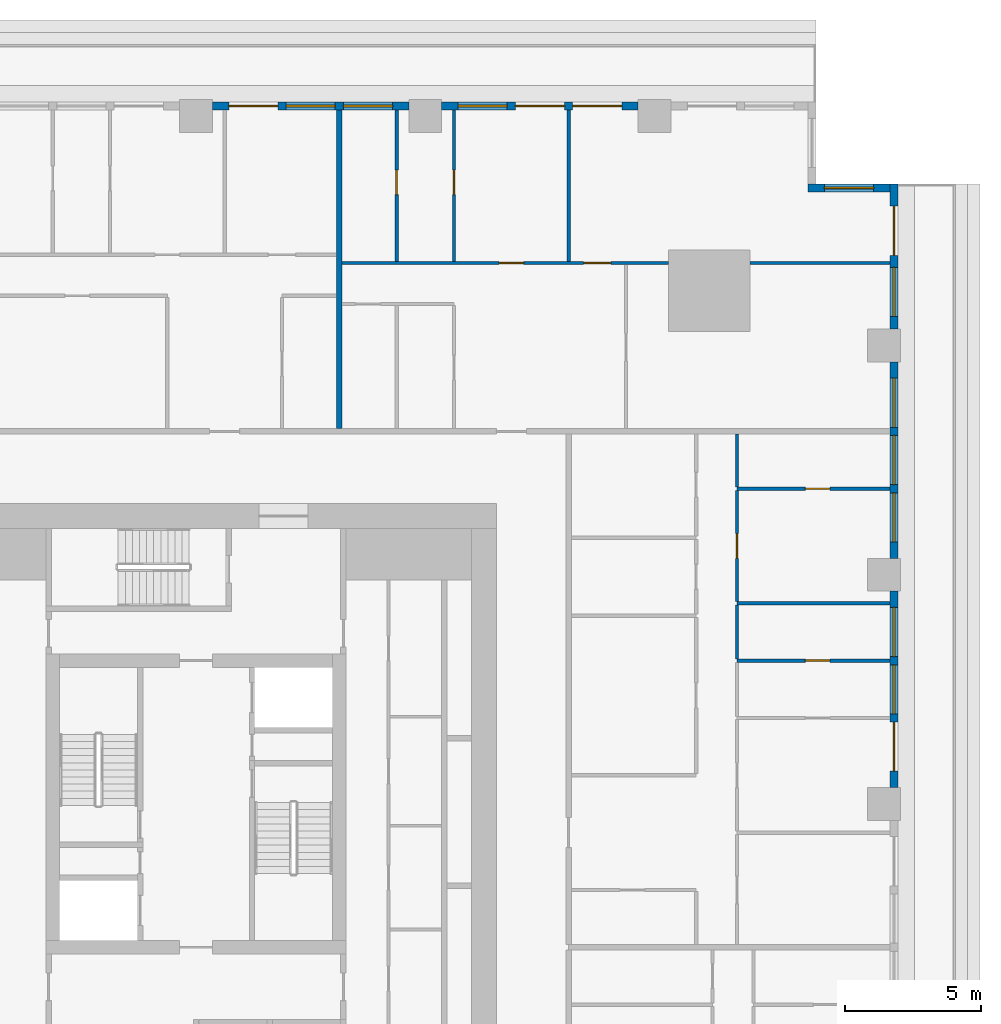
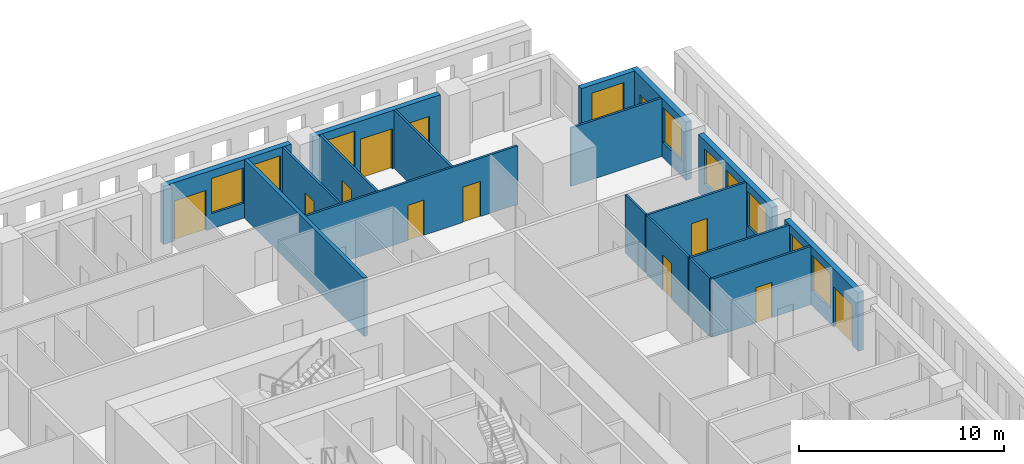
# One storey, part 9 of 15: 18 walls, 12 doors, 10 windows, 22 openings.
"""IFC4 building model written with IfcOpenShell, lengths in metres."""

from ifc_helpers import new_model, si_unit, direction, frame, frame_2d, origin, place, context, subcontext, project, spatial, rectangle, extrude, material, layer, layer_set, type_object, element, fill, save


model = new_model("IFC4")

# Units and contexts
model_context = context("Model", 3, precision=1e-05, world=origin(), true_north=direction((0.0, 1.0)))
body_context = subcontext(model_context, "Body", "Model", "MODEL_VIEW")
ifc_project = project(units=[si_unit("LENGTHUNIT", "METRE"), si_unit("AREAUNIT", "SQUARE_METRE"), si_unit("VOLUMEUNIT", "CUBIC_METRE"), si_unit("PLANEANGLEUNIT", "RADIAN"), si_unit("MASSUNIT", "GRAM", prefix="KILO")], contexts=[model_context])

# Site, building, storey
site_placement = place(None, origin())
site = spatial("IfcSite", under=ifc_project, at=site_placement, CompositionType="ELEMENT")
building_placement = place(site_placement, origin())
building = spatial("IfcBuilding", under=site, at=building_placement, Name="Khepri Terraces", CompositionType="ELEMENT")
storey_placement = place(building_placement, frame((0.0, 0.0, 34.800048828125)))
storey = spatial("IfcBuildingStorey", under=building, at=storey_placement, Name="L07", CompositionType="ELEMENT", Elevation=34.800048828125)

# Wall
ifc_material_1 = material(Name="Fire-rated gypsum plasterboard partition, mineral wool")
ifc_layer_1 = layer(ifc_material_1, 0.199951171875, Name="Fire-rated gypsum plasterboard partition, mineral wool")
ifc_layer_set_1 = layer_set([ifc_layer_1], Name="Fire-rated gypsum plasterboard partition, mineral wool")
wall_type_1 = type_object("IfcWallType", Name="WL-CORR-200", PredefinedType="PARTITIONING", material=ifc_layer_set_1)
wall_1_placement = place(storey_placement, frame((5.25, 13.75, 0.0), z_axis=(0.0, 0.0, 1.0), x_axis=(0.0, 1.0, 0.0)))
element("IfcWall", 1, at=wall_1_placement, inside=storey, type_object=wall_type_1, Name="Partition P-089 L07", PredefinedType="PARTITIONING", context=body_context, shape_type="SweptSolid", body=[
    extrude(rectangle(XDim=11.669921875, YDim=0.199951171875, at=frame_2d((5.8349609375, 0.0))), origin(), (0.0, 0.0, 1.0), 3.47998046875),
])

# Wall, openings, door, windows
ifc_material_2 = material(Name="Precast concrete C50/60 warm stone", Category="masonry")
ifc_layer_2 = layer(ifc_material_2, 0.300048828125, Name="Precast concrete C50/60 warm stone", Category="masonry")
ifc_layer_set_2 = layer_set([ifc_layer_2], Name="Precast concrete C50/60 warm stone")
wall_type_2 = type_object("IfcWallType", Name="WL-EXT-PRECAST-300", PredefinedType="STANDARD", material=ifc_layer_set_2)
wall_2_placement = place(storey_placement, frame((25.570068359375, 0.60009765625, 0.0), z_axis=(0.0, 0.0, 1.0), x_axis=(0.0, 1.0, 0.0)))
wall_2 = element("IfcWall", 2, at=wall_2_placement, inside=storey, type_object=wall_type_2, Name="External wall L07 E", PredefinedType="STANDARD", context=body_context, shape_type="SweptSolid", body=[
    extrude(rectangle(XDim=7.199951171875, YDim=0.300048828125, at=frame_2d((3.60009765625, 0.0))), origin(), (0.0, 0.0, 1.0), 3.47998046875),
])
opening_1_placement = place(wall_2_placement, frame((0.60009765625, 0.0, 0.0)))
opening_1 = element("IfcOpeningElement", 3, at=opening_1_placement, cuts=wall_2, Name="Opening ED-L07-05", PredefinedType="OPENING", context=body_context, shape_type="SweptSolid", body=[
    extrude(rectangle(XDim=1.800048828125, YDim=2.39990234375, at=frame_2d((0.89990234375, 1.199951171875))), frame((0.0, 0.16015625, 0.0), z_axis=(0.0, -1.0, 0.0), x_axis=(1.0, 0.0, 0.0)), (0.0, 0.0, 1.0), 0.320068359375),
])
opening_2_placement = place(wall_2_placement, frame((2.699951171875, 0.0, 0.89990234375)))
opening_2 = element("IfcOpeningElement", 4, at=opening_2_placement, cuts=wall_2, Name="Opening W1", PredefinedType="OPENING", context=body_context, shape_type="SweptSolid", body=[
    extrude(rectangle(XDim=1.800048828125, YDim=2.10009765625, at=frame_2d((0.89990234375, 1.050048828125))), frame((0.0, 0.16015625, 0.0), z_axis=(0.0, -1.0, 0.0), x_axis=(1.0, 0.0, 0.0)), (0.0, 0.0, 1.0), 0.320068359375),
])
opening_3_placement = place(wall_2_placement, frame((4.800048828125, 0.0, 0.89990234375)))
opening_3 = element("IfcOpeningElement", 5, at=opening_3_placement, cuts=wall_2, Name="Opening W1", PredefinedType="OPENING", context=body_context, shape_type="SweptSolid", body=[
    extrude(rectangle(XDim=1.800048828125, YDim=2.10009765625, at=frame_2d((0.89990234375, 1.050048828125))), frame((0.0, 0.16015625, 0.0), z_axis=(0.0, -1.0, 0.0), x_axis=(1.0, 0.0, 0.0)), (0.0, 0.0, 1.0), 0.320068359375),
])
ifc_material_3 = material(Name="Anodised aluminium bronze glazed door", Category="aluminium")
door_type_1 = type_object("IfcDoorType", Name="DR-BAL-SLIDE-1800x2400", OperationType="NOTDEFINED", PredefinedType="DOOR", material=ifc_material_3)
door_1_placement = place(opening_1_placement, origin())
door_1 = element("IfcDoor", 6, at=door_1_placement, inside=storey, type_object=door_type_1, Name="Balcony door L07 E", OperationType="SLIDING_TO_LEFT", OverallHeight=2.39990234375, OverallWidth=1.800048828125, PredefinedType="DOOR", context=body_context, shape_type="SweptSolid", body=[
    extrude(rectangle(XDim=1.800048828125, YDim=2.39990234375, at=frame_2d((0.89990234375, 1.199951171875))), frame((0.0, 0.02490234375, 0.0), z_axis=(0.0, -1.0, 0.0), x_axis=(1.0, 0.0, 0.0)), (0.0, 0.0, 1.0), 0.050048828125),
])
fill(opening_1, door_1)
ifc_material_4 = material(Name="Clear glass", Category="glass")
window_type = type_object("IfcWindowType", Name="WIN-RES-1800x2100", PartitioningType="SINGLE_PANEL", PredefinedType="WINDOW", material=ifc_material_4)
window_1_placement = place(opening_2_placement, origin())
window_1 = element("IfcWindow", 7, at=window_1_placement, inside=storey, type_object=window_type, Name="Window L07 E", OverallHeight=2.10009765625, OverallWidth=1.800048828125, PartitioningType="SINGLE_PANEL", PredefinedType="WINDOW", context=body_context, shape_type="SweptSolid", body=[
    extrude(rectangle(XDim=1.800048828125, YDim=2.10009765625, at=frame_2d((0.89990234375, 1.050048828125))), frame((0.0, 0.030029296875, 0.0), z_axis=(0.0, -1.0, 0.0), x_axis=(1.0, 0.0, 0.0)), (0.0, 0.0, 1.0), 0.06005859375),
])
fill(opening_2, window_1)
window_2_placement = place(opening_3_placement, origin())
window_2 = element("IfcWindow", 8, at=window_2_placement, inside=storey, type_object=window_type, Name="Window L07 E", OverallHeight=2.10009765625, OverallWidth=1.800048828125, PartitioningType="SINGLE_PANEL", PredefinedType="WINDOW", context=body_context, shape_type="SweptSolid", body=[
    extrude(rectangle(XDim=1.800048828125, YDim=2.10009765625, at=frame_2d((0.89990234375, 1.050048828125))), frame((0.0, 0.030029296875, 0.0), z_axis=(0.0, -1.0, 0.0), x_axis=(1.0, 0.0, 0.0)), (0.0, 0.0, 1.0), 0.06005859375),
])
fill(opening_3, window_2)

# Wall, openings, windows
wall_3_placement = place(storey_placement, frame((25.570068359375, 9.0, 0.0), z_axis=(0.0, 0.0, 1.0), x_axis=(0.0, 1.0, 0.0)))
wall_3 = element("IfcWall", 9, at=wall_3_placement, inside=storey, type_object=wall_type_2, Name="External wall L07 E", PredefinedType="STANDARD", context=body_context, shape_type="SweptSolid", body=[
    extrude(rectangle(XDim=7.199951171875, YDim=0.300048828125, at=frame_2d((3.60009765625, 0.0))), origin(), (0.0, 0.0, 1.0), 3.47998046875),
])
opening_4_placement = place(wall_3_placement, frame((0.60009765625, 0.0, 0.89990234375)))
opening_4 = element("IfcOpeningElement", 10, at=opening_4_placement, cuts=wall_3, Name="Opening W1", PredefinedType="OPENING", context=body_context, shape_type="SweptSolid", body=[
    extrude(rectangle(XDim=1.800048828125, YDim=2.10009765625, at=frame_2d((0.89990234375, 1.050048828125))), frame((0.0, 0.16015625, 0.0), z_axis=(0.0, -1.0, 0.0), x_axis=(1.0, 0.0, 0.0)), (0.0, 0.0, 1.0), 0.320068359375),
])
opening_5_placement = place(wall_3_placement, frame((2.699951171875, 0.0, 0.89990234375)))
opening_5 = element("IfcOpeningElement", 11, at=opening_5_placement, cuts=wall_3, Name="Opening W1", PredefinedType="OPENING", context=body_context, shape_type="SweptSolid", body=[
    extrude(rectangle(XDim=1.800048828125, YDim=2.10009765625, at=frame_2d((0.89990234375, 1.050048828125))), frame((0.0, 0.16015625, 0.0), z_axis=(0.0, -1.0, 0.0), x_axis=(1.0, 0.0, 0.0)), (0.0, 0.0, 1.0), 0.320068359375),
])
opening_6_placement = place(wall_3_placement, frame((4.800048828125, 0.0, 0.89990234375)))
opening_6 = element("IfcOpeningElement", 12, at=opening_6_placement, cuts=wall_3, Name="Opening W1", PredefinedType="OPENING", context=body_context, shape_type="SweptSolid", body=[
    extrude(rectangle(XDim=1.800048828125, YDim=2.10009765625, at=frame_2d((0.89990234375, 1.050048828125))), frame((0.0, 0.16015625, 0.0), z_axis=(0.0, -1.0, 0.0), x_axis=(1.0, 0.0, 0.0)), (0.0, 0.0, 1.0), 0.320068359375),
])
window_3_placement = place(opening_4_placement, origin())
window_3 = element("IfcWindow", 13, at=window_3_placement, inside=storey, type_object=window_type, Name="Window L07 E", OverallHeight=2.10009765625, OverallWidth=1.800048828125, PartitioningType="SINGLE_PANEL", PredefinedType="WINDOW", context=body_context, shape_type="SweptSolid", body=[
    extrude(rectangle(XDim=1.800048828125, YDim=2.10009765625, at=frame_2d((0.89990234375, 1.050048828125))), frame((0.0, 0.030029296875, 0.0), z_axis=(0.0, -1.0, 0.0), x_axis=(1.0, 0.0, 0.0)), (0.0, 0.0, 1.0), 0.06005859375),
])
fill(opening_4, window_3)
window_4_placement = place(opening_5_placement, origin())
window_4 = element("IfcWindow", 14, at=window_4_placement, inside=storey, type_object=window_type, Name="Window L07 E", OverallHeight=2.10009765625, OverallWidth=1.800048828125, PartitioningType="SINGLE_PANEL", PredefinedType="WINDOW", context=body_context, shape_type="SweptSolid", body=[
    extrude(rectangle(XDim=1.800048828125, YDim=2.10009765625, at=frame_2d((0.89990234375, 1.050048828125))), frame((0.0, 0.030029296875, 0.0), z_axis=(0.0, -1.0, 0.0), x_axis=(1.0, 0.0, 0.0)), (0.0, 0.0, 1.0), 0.06005859375),
])
fill(opening_5, window_4)
window_5_placement = place(opening_6_placement, origin())
window_5 = element("IfcWindow", 15, at=window_5_placement, inside=storey, type_object=window_type, Name="Window L07 E", OverallHeight=2.10009765625, OverallWidth=1.800048828125, PartitioningType="SINGLE_PANEL", PredefinedType="WINDOW", context=body_context, shape_type="SweptSolid", body=[
    extrude(rectangle(XDim=1.800048828125, YDim=2.10009765625, at=frame_2d((0.89990234375, 1.050048828125))), frame((0.0, 0.030029296875, 0.0), z_axis=(0.0, -1.0, 0.0), x_axis=(1.0, 0.0, 0.0)), (0.0, 0.0, 1.0), 0.06005859375),
])
fill(opening_6, window_5)

# Wall, openings, door, window
wall_4_placement = place(storey_placement, frame((25.570068359375, 17.39990234375, 0.0), z_axis=(0.0, 0.0, 1.0), x_axis=(0.0, 1.0, 0.0)))
wall_4 = element("IfcWall", 16, at=wall_4_placement, inside=storey, type_object=wall_type_2, Name="External wall L07 E", PredefinedType="STANDARD", context=body_context, shape_type="SweptSolid", body=[
    extrude(rectangle(XDim=5.320068359375, YDim=0.300048828125, at=frame_2d((2.66015625, 0.0))), origin(), (0.0, 0.0, 1.0), 3.47998046875),
])
opening_7_placement = place(wall_4_placement, frame((2.699951171875, 0.0, 0.0)))
opening_7 = element("IfcOpeningElement", 17, at=opening_7_placement, cuts=wall_4, Name="Opening ED-L07-06", PredefinedType="OPENING", context=body_context, shape_type="SweptSolid", body=[
    extrude(rectangle(XDim=1.800048828125, YDim=2.39990234375, at=frame_2d((0.89990234375, 1.199951171875))), frame((0.0, 0.16015625, 0.0), z_axis=(0.0, -1.0, 0.0), x_axis=(1.0, 0.0, 0.0)), (0.0, 0.0, 1.0), 0.320068359375),
])
opening_8_placement = place(wall_4_placement, frame((0.4599609375, 0.0, 0.89990234375)))
opening_8 = element("IfcOpeningElement", 18, at=opening_8_placement, cuts=wall_4, Name="Opening W1", PredefinedType="OPENING", context=body_context, shape_type="SweptSolid", body=[
    extrude(rectangle(XDim=1.800048828125, YDim=2.10009765625, at=frame_2d((0.89990234375, 1.050048828125))), frame((0.0, 0.16015625, 0.0), z_axis=(0.0, -1.0, 0.0), x_axis=(1.0, 0.0, 0.0)), (0.0, 0.0, 1.0), 0.320068359375),
])
door_2_placement = place(opening_7_placement, origin())
door_2 = element("IfcDoor", 19, at=door_2_placement, inside=storey, type_object=door_type_1, Name="Balcony door L07 E", OperationType="SLIDING_TO_LEFT", OverallHeight=2.39990234375, OverallWidth=1.800048828125, PredefinedType="DOOR", context=body_context, shape_type="SweptSolid", body=[
    extrude(rectangle(XDim=1.800048828125, YDim=2.39990234375, at=frame_2d((0.89990234375, 1.199951171875))), frame((0.0, 0.02490234375, 0.0), z_axis=(0.0, -1.0, 0.0), x_axis=(1.0, 0.0, 0.0)), (0.0, 0.0, 1.0), 0.050048828125),
])
fill(opening_7, door_2)
window_6_placement = place(opening_8_placement, origin())
window_6 = element("IfcWindow", 20, at=window_6_placement, inside=storey, type_object=window_type, Name="Window L07 E", OverallHeight=2.10009765625, OverallWidth=1.800048828125, PartitioningType="SINGLE_PANEL", PredefinedType="WINDOW", context=body_context, shape_type="SweptSolid", body=[
    extrude(rectangle(XDim=1.800048828125, YDim=2.10009765625, at=frame_2d((0.89990234375, 1.050048828125))), frame((0.0, 0.030029296875, 0.0), z_axis=(0.0, -1.0, 0.0), x_axis=(1.0, 0.0, 0.0)), (0.0, 0.0, 1.0), 0.06005859375),
])
fill(opening_8, window_6)

# Wall, opening, window
wall_5_placement = place(storey_placement, frame((25.419921875, 22.570068359375, 0.0), z_axis=(0.0, 0.0, 1.0), x_axis=(-1.0, 0.0, 0.0)))
wall_5 = element("IfcWall", 21, at=wall_5_placement, inside=storey, type_object=wall_type_2, Name="External wall L07 N", PredefinedType="STANDARD", context=body_context, shape_type="SweptSolid", body=[
    extrude(rectangle(XDim=3.0, YDim=0.300048828125, at=frame_2d((1.5, 0.0))), origin(), (0.0, 0.0, 1.0), 3.47998046875),
])
opening_9_placement = place(wall_5_placement, frame((0.60009765625, 0.0, 0.89990234375)))
opening_9 = element("IfcOpeningElement", 22, at=opening_9_placement, cuts=wall_5, Name="Opening W1", PredefinedType="OPENING", context=body_context, shape_type="SweptSolid", body=[
    extrude(rectangle(XDim=1.800048828125, YDim=2.10009765625, at=frame_2d((0.89990234375, 1.050048828125))), frame((0.0, 0.16015625, 0.0), z_axis=(0.0, -1.0, 0.0), x_axis=(1.0, 0.0, 0.0)), (0.0, 0.0, 1.0), 0.320068359375),
])
window_7_placement = place(opening_9_placement, origin())
window_7 = element("IfcWindow", 23, at=window_7_placement, inside=storey, type_object=window_type, Name="Window L07 N", OverallHeight=2.10009765625, OverallWidth=1.800048828125, PartitioningType="SINGLE_PANEL", PredefinedType="WINDOW", context=body_context, shape_type="SweptSolid", body=[
    extrude(rectangle(XDim=1.800048828125, YDim=2.10009765625, at=frame_2d((0.89990234375, 1.050048828125))), frame((0.0, 0.030029296875, 0.0), z_axis=(0.0, -1.0, 0.0), x_axis=(1.0, 0.0, 0.0)), (0.0, 0.0, 1.0), 0.06005859375),
])
fill(opening_9, window_7)

# Wall, openings, doors, window
wall_6_placement = place(storey_placement, frame((16.199951171875, 25.570068359375, 0.0), z_axis=(0.0, 0.0, 1.0), x_axis=(-1.0, 0.0, 0.0)))
wall_6 = element("IfcWall", 24, at=wall_6_placement, inside=storey, type_object=wall_type_2, Name="External wall L07 N", PredefinedType="STANDARD", context=body_context, shape_type="SweptSolid", body=[
    extrude(rectangle(XDim=7.199951171875, YDim=0.300048828125, at=frame_2d((3.60009765625, 0.0))), origin(), (0.0, 0.0, 1.0), 3.47998046875),
])
opening_10_placement = place(wall_6_placement, frame((0.60009765625, 0.0, 0.0)))
opening_10 = element("IfcOpeningElement", 25, at=opening_10_placement, cuts=wall_6, Name="Opening ED-L07-08", PredefinedType="OPENING", context=body_context, shape_type="SweptSolid", body=[
    extrude(rectangle(XDim=1.800048828125, YDim=2.39990234375, at=frame_2d((0.89990234375, 1.199951171875))), frame((0.0, 0.16015625, 0.0), z_axis=(0.0, -1.0, 0.0), x_axis=(1.0, 0.0, 0.0)), (0.0, 0.0, 1.0), 0.320068359375),
])
opening_11_placement = place(wall_6_placement, frame((2.699951171875, 0.0, 0.0)))
opening_11 = element("IfcOpeningElement", 26, at=opening_11_placement, cuts=wall_6, Name="Opening ED-L07-09", PredefinedType="OPENING", context=body_context, shape_type="SweptSolid", body=[
    extrude(rectangle(XDim=1.800048828125, YDim=2.39990234375, at=frame_2d((0.89990234375, 1.199951171875))), frame((0.0, 0.16015625, 0.0), z_axis=(0.0, -1.0, 0.0), x_axis=(1.0, 0.0, 0.0)), (0.0, 0.0, 1.0), 0.320068359375),
])
opening_12_placement = place(wall_6_placement, frame((4.800048828125, 0.0, 0.89990234375)))
opening_12 = element("IfcOpeningElement", 27, at=opening_12_placement, cuts=wall_6, Name="Opening W1", PredefinedType="OPENING", context=body_context, shape_type="SweptSolid", body=[
    extrude(rectangle(XDim=1.800048828125, YDim=2.10009765625, at=frame_2d((0.89990234375, 1.050048828125))), frame((0.0, 0.16015625, 0.0), z_axis=(0.0, -1.0, 0.0), x_axis=(1.0, 0.0, 0.0)), (0.0, 0.0, 1.0), 0.320068359375),
])
door_3_placement = place(opening_10_placement, origin())
door_3 = element("IfcDoor", 28, at=door_3_placement, inside=storey, type_object=door_type_1, Name="Balcony door L07 N", OperationType="SLIDING_TO_LEFT", OverallHeight=2.39990234375, OverallWidth=1.800048828125, PredefinedType="DOOR", context=body_context, shape_type="SweptSolid", body=[
    extrude(rectangle(XDim=1.800048828125, YDim=2.39990234375, at=frame_2d((0.89990234375, 1.199951171875))), frame((0.0, 0.02490234375, 0.0), z_axis=(0.0, -1.0, 0.0), x_axis=(1.0, 0.0, 0.0)), (0.0, 0.0, 1.0), 0.050048828125),
])
fill(opening_10, door_3)
door_4_placement = place(opening_11_placement, origin())
door_4 = element("IfcDoor", 29, at=door_4_placement, inside=storey, type_object=door_type_1, Name="Balcony door L07 N", OperationType="SLIDING_TO_RIGHT", OverallHeight=2.39990234375, OverallWidth=1.800048828125, PredefinedType="DOOR", context=body_context, shape_type="SweptSolid", body=[
    extrude(rectangle(XDim=1.800048828125, YDim=2.39990234375, at=frame_2d((0.89990234375, 1.199951171875))), frame((0.0, 0.02490234375, 0.0), z_axis=(0.0, -1.0, 0.0), x_axis=(1.0, 0.0, 0.0)), (0.0, 0.0, 1.0), 0.050048828125),
])
fill(opening_11, door_4)
window_8_placement = place(opening_12_placement, origin())
window_8 = element("IfcWindow", 30, at=window_8_placement, inside=storey, type_object=window_type, Name="Window L07 N", OverallHeight=2.10009765625, OverallWidth=1.800048828125, PartitioningType="SINGLE_PANEL", PredefinedType="WINDOW", context=body_context, shape_type="SweptSolid", body=[
    extrude(rectangle(XDim=1.800048828125, YDim=2.10009765625, at=frame_2d((0.89990234375, 1.050048828125))), frame((0.0, 0.030029296875, 0.0), z_axis=(0.0, -1.0, 0.0), x_axis=(1.0, 0.0, 0.0)), (0.0, 0.0, 1.0), 0.06005859375),
])
fill(opening_12, window_8)

# Wall, openings, door, windows
wall_7_placement = place(storey_placement, frame((7.800048828125, 25.570068359375, 0.0), z_axis=(0.0, 0.0, 1.0), x_axis=(-1.0, 0.0, 0.0)))
wall_7 = element("IfcWall", 31, at=wall_7_placement, inside=storey, type_object=wall_type_2, Name="External wall L07 N", PredefinedType="STANDARD", context=body_context, shape_type="SweptSolid", body=[
    extrude(rectangle(XDim=7.199951171875, YDim=0.300048828125, at=frame_2d((3.60009765625, 0.0))), origin(), (0.0, 0.0, 1.0), 3.47998046875),
])
opening_13_placement = place(wall_7_placement, frame((0.60009765625, 0.0, 0.89990234375)))
opening_13 = element("IfcOpeningElement", 32, at=opening_13_placement, cuts=wall_7, Name="Opening W1", PredefinedType="OPENING", context=body_context, shape_type="SweptSolid", body=[
    extrude(rectangle(XDim=1.800048828125, YDim=2.10009765625, at=frame_2d((0.89990234375, 1.050048828125))), frame((0.0, 0.16015625, 0.0), z_axis=(0.0, -1.0, 0.0), x_axis=(1.0, 0.0, 0.0)), (0.0, 0.0, 1.0), 0.320068359375),
])
opening_14_placement = place(wall_7_placement, frame((2.699951171875, 0.0, 0.89990234375)))
opening_14 = element("IfcOpeningElement", 33, at=opening_14_placement, cuts=wall_7, Name="Opening W1", PredefinedType="OPENING", context=body_context, shape_type="SweptSolid", body=[
    extrude(rectangle(XDim=1.800048828125, YDim=2.10009765625, at=frame_2d((0.89990234375, 1.050048828125))), frame((0.0, 0.16015625, 0.0), z_axis=(0.0, -1.0, 0.0), x_axis=(1.0, 0.0, 0.0)), (0.0, 0.0, 1.0), 0.320068359375),
])
opening_15_placement = place(wall_7_placement, frame((4.800048828125, 0.0, 0.0)))
opening_15 = element("IfcOpeningElement", 34, at=opening_15_placement, cuts=wall_7, Name="Opening ED-L07-10", PredefinedType="OPENING", context=body_context, shape_type="SweptSolid", body=[
    extrude(rectangle(XDim=1.800048828125, YDim=2.39990234375, at=frame_2d((0.89990234375, 1.199951171875))), frame((0.0, 0.16015625, 0.0), z_axis=(0.0, -1.0, 0.0), x_axis=(1.0, 0.0, 0.0)), (0.0, 0.0, 1.0), 0.320068359375),
])
door_5_placement = place(opening_15_placement, origin())
door_5 = element("IfcDoor", 35, at=door_5_placement, inside=storey, type_object=door_type_1, Name="Balcony door L07 N", OperationType="SLIDING_TO_RIGHT", OverallHeight=2.39990234375, OverallWidth=1.800048828125, PredefinedType="DOOR", context=body_context, shape_type="SweptSolid", body=[
    extrude(rectangle(XDim=1.800048828125, YDim=2.39990234375, at=frame_2d((0.89990234375, 1.199951171875))), frame((0.0, 0.02490234375, 0.0), z_axis=(0.0, -1.0, 0.0), x_axis=(1.0, 0.0, 0.0)), (0.0, 0.0, 1.0), 0.050048828125),
])
fill(opening_15, door_5)
window_9_placement = place(opening_13_placement, origin())
window_9 = element("IfcWindow", 36, at=window_9_placement, inside=storey, type_object=window_type, Name="Window L07 N", OverallHeight=2.10009765625, OverallWidth=1.800048828125, PartitioningType="SINGLE_PANEL", PredefinedType="WINDOW", context=body_context, shape_type="SweptSolid", body=[
    extrude(rectangle(XDim=1.800048828125, YDim=2.10009765625, at=frame_2d((0.89990234375, 1.050048828125))), frame((0.0, 0.030029296875, 0.0), z_axis=(0.0, -1.0, 0.0), x_axis=(1.0, 0.0, 0.0)), (0.0, 0.0, 1.0), 0.06005859375),
])
fill(opening_13, window_9)
window_10_placement = place(opening_14_placement, origin())
window_10 = element("IfcWindow", 37, at=window_10_placement, inside=storey, type_object=window_type, Name="Window L07 N", OverallHeight=2.10009765625, OverallWidth=1.800048828125, PartitioningType="SINGLE_PANEL", PredefinedType="WINDOW", context=body_context, shape_type="SweptSolid", body=[
    extrude(rectangle(XDim=1.800048828125, YDim=2.10009765625, at=frame_2d((0.89990234375, 1.050048828125))), frame((0.0, 0.030029296875, 0.0), z_axis=(0.0, -1.0, 0.0), x_axis=(1.0, 0.0, 0.0)), (0.0, 0.0, 1.0), 0.06005859375),
])
fill(opening_14, window_10)

# Wall, opening, door
ifc_material_5 = material(Name="Gypsum plasterboard partition")
ifc_layer_3 = layer(ifc_material_5, 0.1201171875, Name="Gypsum plasterboard partition")
ifc_layer_set_3 = layer_set([ifc_layer_3], Name="Gypsum plasterboard partition")
wall_type_3 = type_object("IfcWallType", Name="WL-PART-120", PredefinedType="PARTITIONING", material=ifc_layer_set_3)
wall_8_placement = place(storey_placement, frame((19.820068359375, 5.25, 0.0), z_axis=(0.0, 0.0, 1.0), x_axis=(1.0, 0.0, 0.0)))
wall_8 = element("IfcWall", 38, at=wall_8_placement, inside=storey, type_object=wall_type_3, Name="Partition P-067 L07", PredefinedType="PARTITIONING", context=body_context, shape_type="SweptSolid", body=[
    extrude(rectangle(XDim=5.599853515625, YDim=0.1201171875, at=frame_2d((2.7998046875, 0.0))), origin(), (0.0, 0.0, 1.0), 3.47998046875),
])
opening_16_placement = place(wall_8_placement, frame((2.5, 0.0, 0.0)))
opening_16 = element("IfcOpeningElement", 39, at=opening_16_placement, cuts=wall_8, Name="Opening D4", PredefinedType="OPENING", context=body_context, shape_type="SweptSolid", body=[
    extrude(rectangle(XDim=0.89990234375, YDim=2.10009765625, at=frame_2d((0.449951171875, 1.050048828125))), frame((0.0, 0.070068359375, 0.0), z_axis=(0.0, -1.0, 0.0), x_axis=(1.0, 0.0, 0.0)), (0.0, 0.0, 1.0), 0.14013671875),
])
ifc_material_6 = material(Name="Timber door leaf, moisture resistant", Category="wood")
door_type_2 = type_object("IfcDoorType", Name="DR-WET-900", OperationType="NOTDEFINED", PredefinedType="DOOR", material=ifc_material_6)
door_6_placement = place(opening_16_placement, origin())
door_6 = element("IfcDoor", 40, at=door_6_placement, inside=storey, type_object=door_type_2, Name="Door Bathroom", OperationType="SINGLE_SWING_RIGHT", OverallHeight=2.10009765625, OverallWidth=0.89990234375, PredefinedType="DOOR", context=body_context, shape_type="SweptSolid", body=[
    extrude(rectangle(XDim=0.89990234375, YDim=2.10009765625, at=frame_2d((0.449951171875, 1.050048828125))), frame((0.0, 0.02490234375, 0.0), z_axis=(0.0, -1.0, 0.0), x_axis=(1.0, 0.0, 0.0)), (0.0, 0.0, 1.0), 0.050048828125),
])
fill(opening_16, door_6)

# Walls
wall_9_placement = place(storey_placement, frame((19.820068359375, 5.31005859375, 0.0), z_axis=(0.0, 0.0, 1.0), x_axis=(0.0, 1.0, 0.0)))
element("IfcWall", 41, at=wall_9_placement, inside=storey, type_object=wall_type_3, Name="Partition P-068 L07", PredefinedType="PARTITIONING", context=body_context, shape_type="SweptSolid", body=[
    extrude(rectangle(XDim=1.97998046875, YDim=0.1201171875, at=frame_2d((0.989990234375, 0.0))), origin(), (0.0, 0.0, 1.0), 3.47998046875),
])
wall_10_placement = place(storey_placement, frame((19.820068359375, 7.35009765625, 0.0), z_axis=(0.0, 0.0, 1.0), x_axis=(1.0, 0.0, 0.0)))
element("IfcWall", 42, at=wall_10_placement, inside=storey, type_object=wall_type_3, Name="Partition P-071 L07", PredefinedType="PARTITIONING", context=body_context, shape_type="SweptSolid", body=[
    extrude(rectangle(XDim=5.599853515625, YDim=0.1201171875, at=frame_2d((2.7998046875, 0.0))), origin(), (0.0, 0.0, 1.0), 3.47998046875),
])

# Wall, opening, door
wall_11_placement = place(storey_placement, frame((19.820068359375, 7.409912109375, 0.0), z_axis=(0.0, 0.0, 1.0), x_axis=(0.0, 1.0, 0.0)))
wall_11 = element("IfcWall", 43, at=wall_11_placement, inside=storey, type_object=wall_type_3, Name="Partition P-072 L07", PredefinedType="PARTITIONING", context=body_context, shape_type="SweptSolid", body=[
    extrude(rectangle(XDim=4.080078125, YDim=0.1201171875, at=frame_2d((2.0400390625, 0.0))), origin(), (0.0, 0.0, 1.0), 3.47998046875),
])
opening_17_placement = place(wall_11_placement, frame((1.590087890625, 0.0, 0.0)))
opening_17 = element("IfcOpeningElement", 44, at=opening_17_placement, cuts=wall_11, Name="Opening D3", PredefinedType="OPENING", context=body_context, shape_type="SweptSolid", body=[
    extrude(rectangle(XDim=0.89990234375, YDim=2.10009765625, at=frame_2d((0.449951171875, 1.050048828125))), frame((0.0, 0.070068359375, 0.0), z_axis=(0.0, -1.0, 0.0), x_axis=(1.0, 0.0, 0.0)), (0.0, 0.0, 1.0), 0.14013671875),
])
ifc_material_7 = material(Name="Timber door leaf", Category="wood")
door_type_3 = type_object("IfcDoorType", Name="DR-INT-900", OperationType="NOTDEFINED", PredefinedType="DOOR", material=ifc_material_7)
door_7_placement = place(opening_17_placement, frame((0.89990234375, 0.0, 0.0), z_axis=(0.0, 0.0, 1.0), x_axis=(-1.0, 0.0, 0.0)))
door_7 = element("IfcDoor", 45, at=door_7_placement, inside=storey, type_object=door_type_3, Name="Door Bedroom", OperationType="SINGLE_SWING_RIGHT", OverallHeight=2.10009765625, OverallWidth=0.89990234375, PredefinedType="DOOR", context=body_context, shape_type="SweptSolid", body=[
    extrude(rectangle(XDim=0.89990234375, YDim=2.10009765625, at=frame_2d((0.449951171875, 1.050048828125))), frame((0.0, 0.02490234375, 0.0), z_axis=(0.0, -1.0, 0.0), x_axis=(1.0, 0.0, 0.0)), (0.0, 0.0, 1.0), 0.050048828125),
])
fill(opening_17, door_7)

wall_12_placement = place(storey_placement, frame((19.820068359375, 11.550048828125, 0.0), z_axis=(0.0, 0.0, 1.0), x_axis=(1.0, 0.0, 0.0)))
wall_12 = element("IfcWall", 46, at=wall_12_placement, inside=storey, type_object=wall_type_3, Name="Partition P-078 L07", PredefinedType="PARTITIONING", context=body_context, shape_type="SweptSolid", body=[
    extrude(rectangle(XDim=5.599853515625, YDim=0.1201171875, at=frame_2d((2.7998046875, 0.0))), origin(), (0.0, 0.0, 1.0), 3.47998046875),
])
opening_18_placement = place(wall_12_placement, frame((2.5, 0.0, 0.0)))
opening_18 = element("IfcOpeningElement", 47, at=opening_18_placement, cuts=wall_12, Name="Opening D4", PredefinedType="OPENING", context=body_context, shape_type="SweptSolid", body=[
    extrude(rectangle(XDim=0.89990234375, YDim=2.10009765625, at=frame_2d((0.449951171875, 1.050048828125))), frame((0.0, 0.070068359375, 0.0), z_axis=(0.0, -1.0, 0.0), x_axis=(1.0, 0.0, 0.0)), (0.0, 0.0, 1.0), 0.14013671875),
])
door_8_placement = place(opening_18_placement, origin())
door_8 = element("IfcDoor", 48, at=door_8_placement, inside=storey, type_object=door_type_2, Name="Door Bathroom", OperationType="SINGLE_SWING_RIGHT", OverallHeight=2.10009765625, OverallWidth=0.89990234375, PredefinedType="DOOR", context=body_context, shape_type="SweptSolid", body=[
    extrude(rectangle(XDim=0.89990234375, YDim=2.10009765625, at=frame_2d((0.449951171875, 1.050048828125))), frame((0.0, 0.02490234375, 0.0), z_axis=(0.0, -1.0, 0.0), x_axis=(1.0, 0.0, 0.0)), (0.0, 0.0, 1.0), 0.050048828125),
])
fill(opening_18, door_8)

# Wall
wall_13_placement = place(storey_placement, frame((19.820068359375, 11.610107421875, 0.0), z_axis=(0.0, 0.0, 1.0), x_axis=(0.0, 1.0, 0.0)))
element("IfcWall", 49, at=wall_13_placement, inside=storey, type_object=wall_type_3, Name="Partition P-079 L07", PredefinedType="PARTITIONING", context=body_context, shape_type="SweptSolid", body=[
    extrude(rectangle(XDim=1.93994140625, YDim=0.1201171875, at=frame_2d((0.969970703125, 0.0))), origin(), (0.0, 0.0, 1.0), 3.47998046875),
])

# Wall, openings, doors
wall_14_placement = place(storey_placement, frame((5.35009765625, 19.820068359375, 0.0), z_axis=(0.0, 0.0, 1.0), x_axis=(1.0, 0.0, 0.0)))
wall_14 = element("IfcWall", 50, at=wall_14_placement, inside=storey, type_object=wall_type_3, Name="Partition P-098 L07", PredefinedType="PARTITIONING", context=body_context, shape_type="SweptSolid", body=[
    extrude(rectangle(XDim=11.949951171875, YDim=0.1201171875, at=frame_2d((5.97509765625, 0.0))), origin(), (0.0, 0.0, 1.0), 3.47998046875),
])
opening_19_placement = place(wall_14_placement, frame((8.85009765625, 0.0, 0.0)))
opening_19 = element("IfcOpeningElement", 51, at=opening_19_placement, cuts=wall_14, Name="Opening D2", PredefinedType="OPENING", context=body_context, shape_type="SweptSolid", body=[
    extrude(rectangle(XDim=1.0, YDim=2.10009765625, at=frame_2d((0.5, 1.050048828125))), frame((0.0, 0.070068359375, 0.0), z_axis=(0.0, -1.0, 0.0), x_axis=(1.0, 0.0, 0.0)), (0.0, 0.0, 1.0), 0.14013671875),
])
opening_20_placement = place(wall_14_placement, frame((5.75, 0.0, 0.0)))
opening_20 = element("IfcOpeningElement", 52, at=opening_20_placement, cuts=wall_14, Name="Opening D3", PredefinedType="OPENING", context=body_context, shape_type="SweptSolid", body=[
    extrude(rectangle(XDim=0.89990234375, YDim=2.10009765625, at=frame_2d((0.449951171875, 1.050048828125))), frame((0.0, 0.070068359375, 0.0), z_axis=(0.0, -1.0, 0.0), x_axis=(1.0, 0.0, 0.0)), (0.0, 0.0, 1.0), 0.14013671875),
])
ifc_material_8 = material(Name="Timber door leaf, living room door", Category="wood")
door_type_4 = type_object("IfcDoorType", Name="DR-INT-1000", OperationType="NOTDEFINED", PredefinedType="DOOR", material=ifc_material_8)
door_9_placement = place(opening_19_placement, origin())
door_9 = element("IfcDoor", 53, at=door_9_placement, inside=storey, type_object=door_type_4, Name="Door Sun Lounge", OperationType="SINGLE_SWING_RIGHT", OverallHeight=2.10009765625, OverallWidth=1.0, PredefinedType="DOOR", context=body_context, shape_type="SweptSolid", body=[
    extrude(rectangle(XDim=1.0, YDim=2.10009765625, at=frame_2d((0.5, 1.050048828125))), frame((0.0, 0.02490234375, 0.0), z_axis=(0.0, -1.0, 0.0), x_axis=(1.0, 0.0, 0.0)), (0.0, 0.0, 1.0), 0.050048828125),
])
fill(opening_19, door_9)
door_10_placement = place(opening_20_placement, origin())
door_10 = element("IfcDoor", 54, at=door_10_placement, inside=storey, type_object=door_type_3, Name="Door Master Bedroom", OperationType="SINGLE_SWING_RIGHT", OverallHeight=2.10009765625, OverallWidth=0.89990234375, PredefinedType="DOOR", context=body_context, shape_type="SweptSolid", body=[
    extrude(rectangle(XDim=0.89990234375, YDim=2.10009765625, at=frame_2d((0.449951171875, 1.050048828125))), frame((0.0, 0.02490234375, 0.0), z_axis=(0.0, -1.0, 0.0), x_axis=(1.0, 0.0, 0.0)), (0.0, 0.0, 1.0), 0.050048828125),
])
fill(opening_20, door_10)

# Wall
wall_15_placement = place(storey_placement, frame((20.300048828125, 19.820068359375, 0.0), z_axis=(0.0, 0.0, 1.0), x_axis=(1.0, 0.0, 0.0)))
element("IfcWall", 55, at=wall_15_placement, inside=storey, type_object=wall_type_3, Name="Partition P-099 L07", PredefinedType="PARTITIONING", context=body_context, shape_type="SweptSolid", body=[
    extrude(rectangle(XDim=5.119873046875, YDim=0.1201171875, at=frame_2d((2.56005859375, 0.0))), origin(), (0.0, 0.0, 1.0), 3.47998046875),
])

# Wall, opening, door
wall_16_placement = place(storey_placement, frame((7.35009765625, 19.8798828125, 0.0), z_axis=(0.0, 0.0, 1.0), x_axis=(0.0, 1.0, 0.0)))
wall_16 = element("IfcWall", 56, at=wall_16_placement, inside=storey, type_object=wall_type_3, Name="Partition P-100 L07", PredefinedType="PARTITIONING", context=body_context, shape_type="SweptSolid", body=[
    extrude(rectangle(XDim=5.5400390625, YDim=0.1201171875, at=frame_2d((2.77001953125, 0.0))), origin(), (0.0, 0.0, 1.0), 3.47998046875),
])
opening_21_placement = place(wall_16_placement, frame((2.43994140625, 0.0, 0.0)))
opening_21 = element("IfcOpeningElement", 57, at=opening_21_placement, cuts=wall_16, Name="Opening D4", PredefinedType="OPENING", context=body_context, shape_type="SweptSolid", body=[
    extrude(rectangle(XDim=0.89990234375, YDim=2.10009765625, at=frame_2d((0.449951171875, 1.050048828125))), frame((0.0, 0.070068359375, 0.0), z_axis=(0.0, -1.0, 0.0), x_axis=(1.0, 0.0, 0.0)), (0.0, 0.0, 1.0), 0.14013671875),
])
door_11_placement = place(opening_21_placement, origin())
door_11 = element("IfcDoor", 58, at=door_11_placement, inside=storey, type_object=door_type_2, Name="Door Bathroom", OperationType="SINGLE_SWING_RIGHT", OverallHeight=2.10009765625, OverallWidth=0.89990234375, PredefinedType="DOOR", context=body_context, shape_type="SweptSolid", body=[
    extrude(rectangle(XDim=0.89990234375, YDim=2.10009765625, at=frame_2d((0.449951171875, 1.050048828125))), frame((0.0, 0.02490234375, 0.0), z_axis=(0.0, -1.0, 0.0), x_axis=(1.0, 0.0, 0.0)), (0.0, 0.0, 1.0), 0.050048828125),
])
fill(opening_21, door_11)

wall_17_placement = place(storey_placement, frame((9.449951171875, 19.8798828125, 0.0), z_axis=(0.0, 0.0, 1.0), x_axis=(0.0, 1.0, 0.0)))
wall_17 = element("IfcWall", 59, at=wall_17_placement, inside=storey, type_object=wall_type_3, Name="Partition P-101 L07", PredefinedType="PARTITIONING", context=body_context, shape_type="SweptSolid", body=[
    extrude(rectangle(XDim=5.5400390625, YDim=0.1201171875, at=frame_2d((2.77001953125, 0.0))), origin(), (0.0, 0.0, 1.0), 3.47998046875),
])
opening_22_placement = place(wall_17_placement, frame((2.43994140625, 0.0, 0.0)))
opening_22 = element("IfcOpeningElement", 60, at=opening_22_placement, cuts=wall_17, Name="Opening D3", PredefinedType="OPENING", context=body_context, shape_type="SweptSolid", body=[
    extrude(rectangle(XDim=0.89990234375, YDim=2.10009765625, at=frame_2d((0.449951171875, 1.050048828125))), frame((0.0, 0.070068359375, 0.0), z_axis=(0.0, -1.0, 0.0), x_axis=(1.0, 0.0, 0.0)), (0.0, 0.0, 1.0), 0.14013671875),
])
door_12_placement = place(opening_22_placement, origin())
door_12 = element("IfcDoor", 61, at=door_12_placement, inside=storey, type_object=door_type_3, Name="Door Dressing Room", OperationType="SINGLE_SWING_RIGHT", OverallHeight=2.10009765625, OverallWidth=0.89990234375, PredefinedType="DOOR", context=body_context, shape_type="SweptSolid", body=[
    extrude(rectangle(XDim=0.89990234375, YDim=2.10009765625, at=frame_2d((0.449951171875, 1.050048828125))), frame((0.0, 0.02490234375, 0.0), z_axis=(0.0, -1.0, 0.0), x_axis=(1.0, 0.0, 0.0)), (0.0, 0.0, 1.0), 0.050048828125),
])
fill(opening_22, door_12)

# Wall
wall_18_placement = place(storey_placement, frame((13.64990234375, 19.8798828125, 0.0), z_axis=(0.0, 0.0, 1.0), x_axis=(0.0, 1.0, 0.0)))
element("IfcWall", 62, at=wall_18_placement, inside=storey, type_object=wall_type_3, Name="Partition P-102 L07", PredefinedType="PARTITIONING", context=body_context, shape_type="SweptSolid", body=[
    extrude(rectangle(XDim=5.5400390625, YDim=0.1201171875, at=frame_2d((2.77001953125, 0.0))), origin(), (0.0, 0.0, 1.0), 3.47998046875),
])

save(model, "model.ifc")
